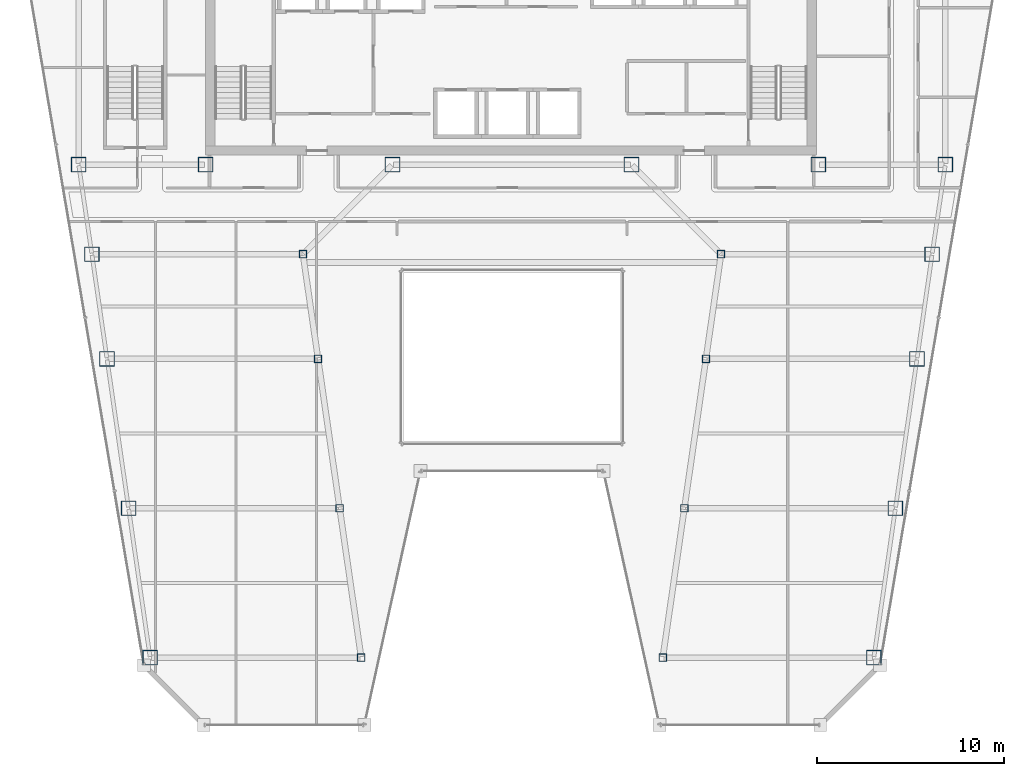
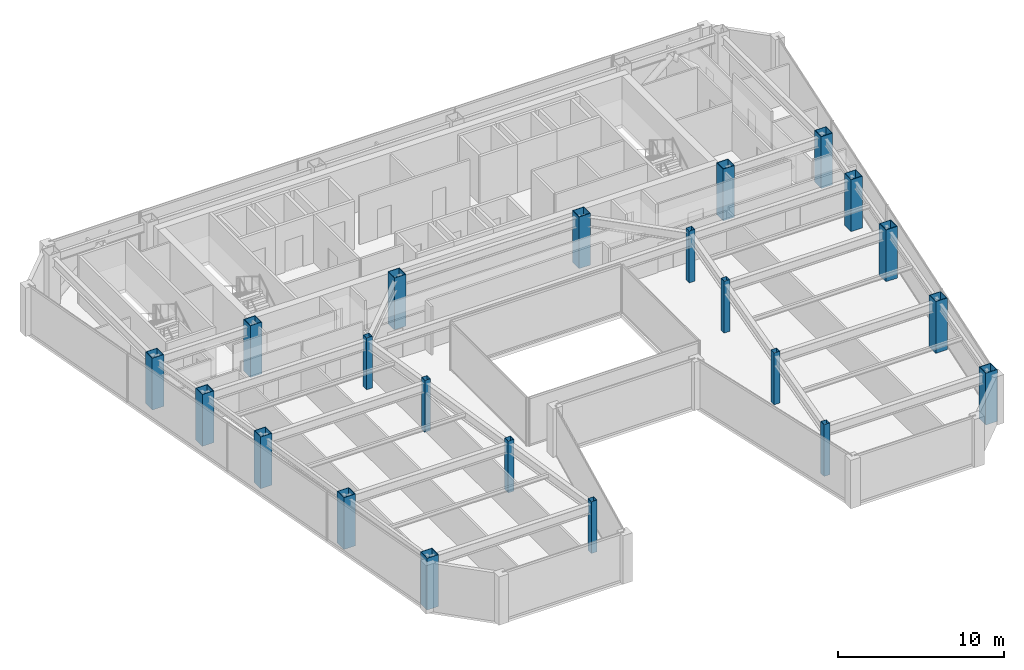
# One storey, part 1 of 36: 22 columns.
"""IFC4 building model written with IfcOpenShell, lengths in metres."""

from ifc_helpers import new_model, si_unit, direction, frame, origin, origin_2d, place, context, subcontext, project, spatial, hollow_rectangle, extrude, material, material_profile, profile_set, type_object, element, save


model = new_model("IFC4")

# Units and contexts
model_context = context("Model", 3, precision=1e-05, world=origin(), true_north=direction((0.0, 1.0)))
body_context = subcontext(model_context, "Body", "Model", "MODEL_VIEW")
ifc_project = project(units=[si_unit("LENGTHUNIT", "METRE"), si_unit("AREAUNIT", "SQUARE_METRE"), si_unit("VOLUMEUNIT", "CUBIC_METRE"), si_unit("PLANEANGLEUNIT", "RADIAN"), si_unit("MASSUNIT", "GRAM", prefix="KILO")], contexts=[model_context])

# Site, building, storey
site_placement = place(None, origin())
site = spatial("IfcSite", under=ifc_project, at=site_placement, CompositionType="ELEMENT")
building_placement = place(site_placement, origin())
building = spatial("IfcBuilding", under=site, at=building_placement, Name="Saevonmaru Cultural Tower", CompositionType="ELEMENT")
storey_placement = place(building_placement, frame((0.0, 0.0, 198.0)))
storey = spatial("IfcBuildingStorey", under=building, at=storey_placement, Name="L45", CompositionType="ELEMENT", Elevation=198.0)

# Columns
ifc_material_1 = material(Name="Steel SM420", Category="steel")
ifc_material_profile_1 = material_profile(ifc_material_1, hollow_rectangle(XDim=0.800048828125, YDim=0.800048828125, WallThickness=0.035888671875, at=origin_2d()), Name="BOX-800x800x36")
ifc_profile_set_1 = profile_set([ifc_material_profile_1], Name="Steel SM420")
column_type_1 = type_object("IfcColumnType", Name="COL-BOX-800", PredefinedType="COLUMN", material=ifc_profile_set_1)
for number, where, z_axis, x_axis, name in (
    (1, (6.800048828125, 42.39990234375, 0.0), (0.0, 0.0, 1.0), (1.0, 0.0, 0.0), "L45 Column TC-S1C"),
    (2, (13.60009765625, 42.39990234375, 0.0), (0.0, 0.0, 1.0), (1.0, 0.0, 0.0), "L45 Column TC-S2C"),
    (3, (23.60009765625, 42.39990234375, 0.0), (0.0, 0.0, 1.0), (1.0, 0.0, 0.0), "L45 Column TC-S3C"),
    (4, (36.39990234375, 42.39990234375, 0.0), (0.0, 0.0, 1.0), (1.0, 0.0, 0.0), "L45 Column TC-S4C"),
    (5, (46.39990234375, 42.39990234375, 0.0), (0.0, 0.0, 1.0), (1.0, 0.0, 0.0), "L45 Column TC-S5C"),
    (6, (53.199951171875, 42.39990234375, 0.0), (0.0, 0.0, 1.0), (1.0, 0.0, 0.0), "L45 Column TC-S6C"),
    (7, (10.6279296875, 16.0, 0.0), (0.0, 0.0, 1.0), (1.0, 0.0, 0.0), "L45 Column TC-WO-Y160"),
    (8, (49.3720703125, 16.0, 0.0), (0.0, 0.0, 1.0), (1.0, 0.0, 0.0), "L45 Column TC-EO-Y160"),
    (9, (9.471923828125, 24.0, 0.0), (0.0, 0.0, 1.0), (1.0, 0.0, 0.0), "L45 Column TC-WO-Y240"),
    (10, (50.528076171875, 24.0, 0.0), (0.0, 0.0, 1.0), (1.0, 0.0, 0.0), "L45 Column TC-EO-Y240"),
    (11, (8.31689453125, 32.0, 0.0), (0.0, 0.0, 1.0), (1.0, 0.0, 0.0), "L45 Column TC-WO-Y320"),
    (12, (51.68310546875, 32.0, 0.0), (0.0, 0.0, 1.0), (1.0, 0.0, 0.0), "L45 Column TC-EO-Y320"),
    (13, (7.508056640625, 37.60009765625, 0.0), (0.0, 0.0, 1.0), (1.0, 0.0, 0.0), "L45 Column TC-WO-Y376"),
    (14, (52.491943359375, 37.60009765625, 0.0), (0.0, 0.0, 1.0), (1.0, 0.0, 0.0), "L45 Column TC-EO-Y376"),
):
    element("IfcColumn", number, at=place(storey_placement, frame(where, z_axis=z_axis, x_axis=x_axis)), inside=storey, type_object=column_type_1, Name=name, PredefinedType="COLUMN", context=body_context, shape_type="SweptSolid", body=[
        extrude(hollow_rectangle(XDim=0.800048828125, YDim=0.800048828125, WallThickness=0.035888671875, at=origin_2d()), origin(), (0.0, 0.0, 1.0), 3.800048828125),
    ])
ifc_material_2 = material(Name="Steel SM355", Category="steel")
ifc_material_profile_2 = material_profile(ifc_material_2, hollow_rectangle(XDim=0.39990234375, YDim=0.39990234375, WallThickness=0.01611328125, at=origin_2d()), Name="SHS-400x400x16")
ifc_profile_set_2 = profile_set([ifc_material_profile_2], Name="Steel SM355")
column_type_2 = type_object("IfcColumnType", Name="COL-SHS-400", PredefinedType="COLUMN", material=ifc_profile_set_2)
for number, where, z_axis, x_axis, name in (
    (15, (21.927978515625, 16.0, 0.0), (0.0, 0.0, 1.0), (1.0, 0.0, 0.0), "L45 Column TC-WI-Y160"),
    (16, (38.072021484375, 16.0, 0.0), (0.0, 0.0, 1.0), (1.0, 0.0, 0.0), "L45 Column TC-EI-Y160"),
    (17, (20.77197265625, 24.0, 0.0), (0.0, 0.0, 1.0), (1.0, 0.0, 0.0), "L45 Column TC-WI-Y240"),
    (18, (39.22802734375, 24.0, 0.0), (0.0, 0.0, 1.0), (1.0, 0.0, 0.0), "L45 Column TC-EI-Y240"),
    (19, (19.616943359375, 32.0, 0.0), (0.0, 0.0, 1.0), (1.0, 0.0, 0.0), "L45 Column TC-WI-Y320"),
    (20, (40.383056640625, 32.0, 0.0), (0.0, 0.0, 1.0), (1.0, 0.0, 0.0), "L45 Column TC-EI-Y320"),
    (21, (18.80810546875, 37.60009765625, 0.0), (0.0, 0.0, 1.0), (1.0, 0.0, 0.0), "L45 Column TC-WI-Y376"),
    (22, (41.19189453125, 37.60009765625, 0.0), (0.0, 0.0, 1.0), (1.0, 0.0, 0.0), "L45 Column TC-EI-Y376"),
):
    element("IfcColumn", number, at=place(storey_placement, frame(where, z_axis=z_axis, x_axis=x_axis)), inside=storey, type_object=column_type_2, Name=name, PredefinedType="COLUMN", context=body_context, shape_type="SweptSolid", body=[
        extrude(hollow_rectangle(XDim=0.39990234375, YDim=0.39990234375, WallThickness=0.01611328125, at=origin_2d()), origin(), (0.0, 0.0, 1.0), 3.800048828125),
    ])

save(model, "model.ifc")
